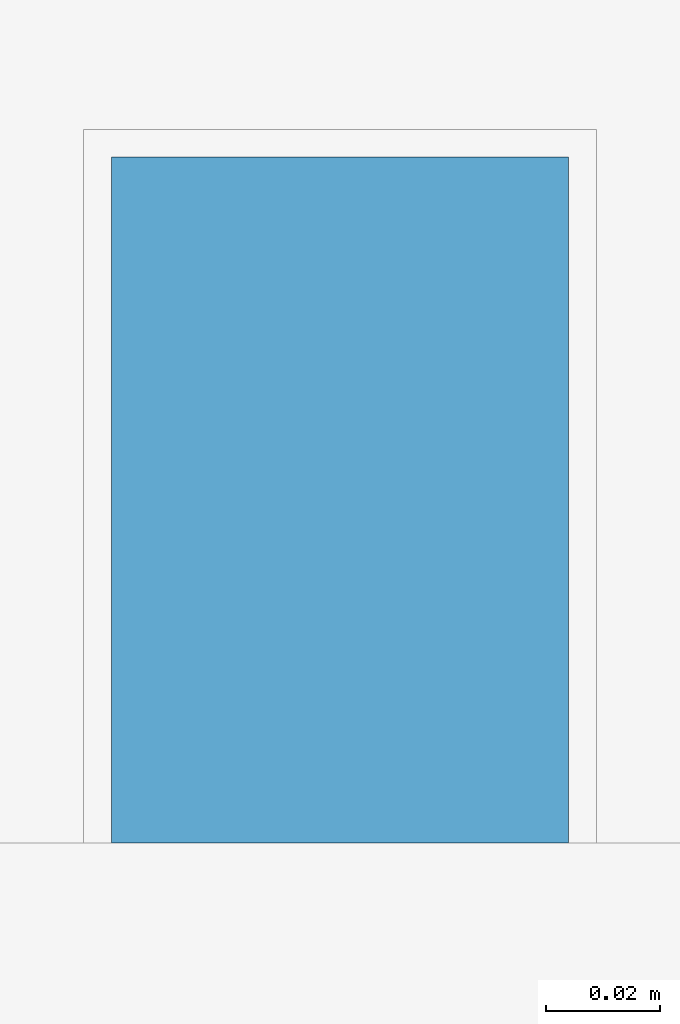
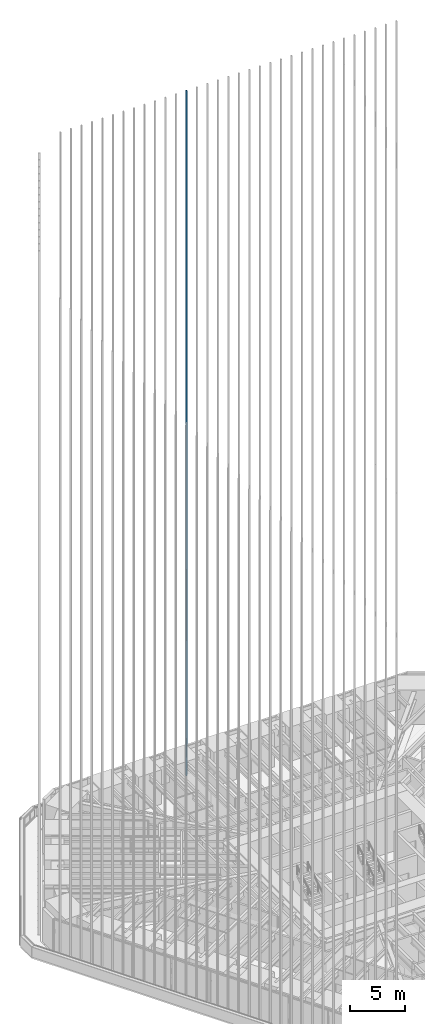
# One storey, part 168 of 238: 1 member, 1 element without a shape of its own.
"""IFC4 building model written with IfcOpenShell, lengths in metres."""

from ifc_helpers import new_model, si_unit, direction, frame, origin, origin_2d, place, context, subcontext, project, spatial, rectangle, extrude, material, material_profile, profile_set, type_object, element, aggregate, save


model = new_model("IFC4")

# Units and contexts
model_context = context("Model", 3, precision=1e-05, world=origin(), true_north=direction((0.0, 1.0)))
body_context = subcontext(model_context, "Body", "Model", "MODEL_VIEW")
ifc_project = project(units=[si_unit("LENGTHUNIT", "METRE"), si_unit("AREAUNIT", "SQUARE_METRE"), si_unit("VOLUMEUNIT", "CUBIC_METRE"), si_unit("PLANEANGLEUNIT", "RADIAN"), si_unit("MASSUNIT", "GRAM", prefix="KILO")], contexts=[model_context])

# Site, building, storey
site_placement = place(None, origin())
site = spatial("IfcSite", under=ifc_project, at=site_placement, CompositionType="ELEMENT")
building_placement = place(site_placement, origin())
building = spatial("IfcBuilding", under=site, at=building_placement, Name="Sandreach Pilgrim Tower", CompositionType="ELEMENT")
storey_placement = place(building_placement, frame((0.0, 0.0, 96.800048828125)))
storey = spatial("IfcBuildingStorey", under=building, at=storey_placement, Name="L23", CompositionType="ELEMENT", Elevation=96.800048828125)

# Curtain wall, member
ifc_material_1 = material(Name="Aluminium framed curtain wall", Category="aluminium")
curtain_wall_type = type_object("IfcCurtainWallType", Name="Hotel tower curtain wall", PredefinedType="NOTDEFINED", material=ifc_material_1)
curtain_wall_placement = place(storey_placement, origin())
curtain_wall = element("IfcCurtainWall", 1, at=curtain_wall_placement, inside=storey, type_object=curtain_wall_type, Name="CW-2 L23 N", PredefinedType="NOTDEFINED")
ifc_material_2 = material(Name="Extruded terracotta on aluminium core", Category="masonry")
ifc_material_profile = material_profile(ifc_material_2, rectangle(XDim=0.080078125, YDim=0.1201171875, at=origin_2d()), Name="TBN 80X120")
ifc_profile_set = profile_set([ifc_material_profile], Name="Extruded terracotta on aluminium core")
member_type = type_object("IfcMemberType", Name="Terracotta baguette north", PredefinedType="USERDEFINED", material=ifc_profile_set)
member_placement = place(storey_placement, frame((-4.3974609375, 22.853759765625, 0.0), z_axis=(0.0, 0.0, 1.0), x_axis=(1.0, 0.0, 0.0)))
member = element("IfcMember", 2, at=member_placement, type_object=member_type, Name="Baguette Z2 N13", ObjectType="BAGUETTE", PredefinedType="USERDEFINED", context=body_context, shape_type="SweptSolid", body=[
    extrude(rectangle(XDim=0.080078125, YDim=0.1201171875, at=origin_2d()), origin(), (0.0, 0.0, 1.0), 75.83984375),
])
aggregate(curtain_wall, [member])

save(model, "model.ifc")
